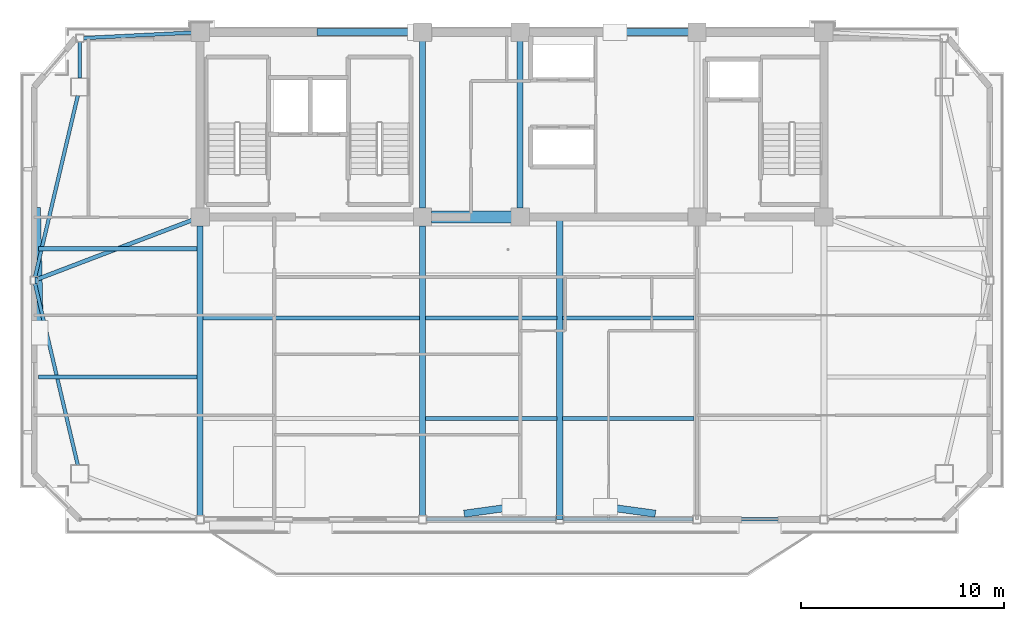
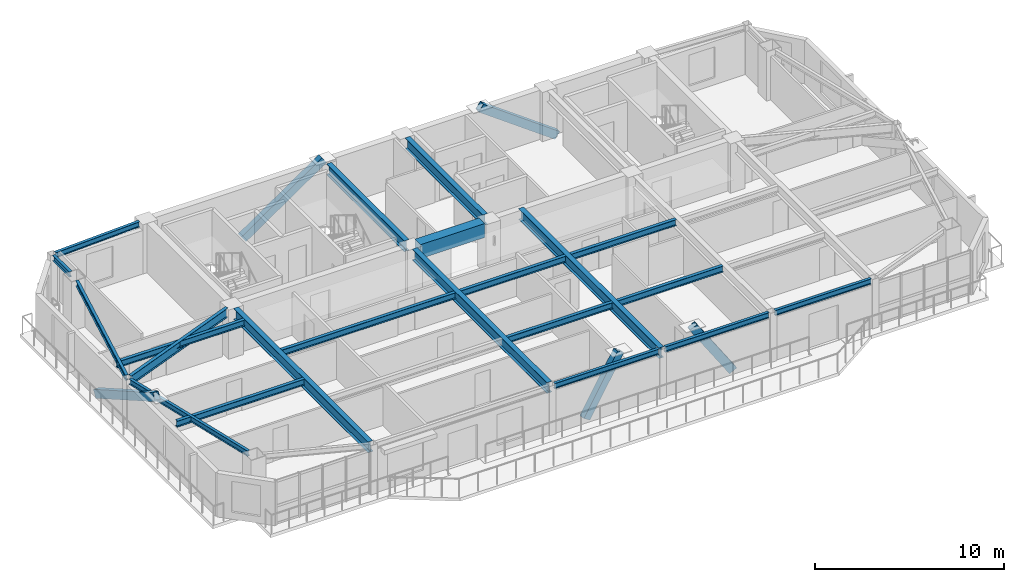
# One storey, part 3 of 12: 21 beams, 5 members.
"""IFC4 building model written with IfcOpenShell, lengths in metres."""

from ifc_helpers import new_model, si_unit, direction, frame, origin, origin_2d, place, context, subcontext, project, spatial, rectangle, hollow_rectangle, i_section, extrude, source, transform, mapped, material, material_profile, profile_set, type_object, element, save


model = new_model("IFC4")

# Units and contexts
model_context = context("Model", 3, precision=1e-05, world=origin(), true_north=direction((0.0, 1.0)))
body_context = subcontext(model_context, "Body", "Model", "MODEL_VIEW")
ifc_project = project(units=[si_unit("LENGTHUNIT", "METRE"), si_unit("AREAUNIT", "SQUARE_METRE"), si_unit("VOLUMEUNIT", "CUBIC_METRE"), si_unit("PLANEANGLEUNIT", "RADIAN"), si_unit("MASSUNIT", "GRAM", prefix="KILO")], contexts=[model_context])

# Site, building, storey
site_placement = place(None, origin())
site = spatial("IfcSite", under=ifc_project, at=site_placement, CompositionType="ELEMENT")
building_placement = place(site_placement, origin())
building = spatial("IfcBuilding", under=site, at=building_placement, Name="Giltprow Tower", CompositionType="ELEMENT")
storey_placement = place(building_placement, frame((0.0, 0.0, 339.10009765625)))
storey = spatial("IfcBuildingStorey", under=building, at=storey_placement, Name="L88", CompositionType="ELEMENT", Elevation=339.10009765625)

# Beams
ifc_material_1 = material(Name="Structural steel Q355B", Category="steel")
ifc_material_profile_1 = material_profile(ifc_material_1, i_section(OverallWidth=0.199951171875, OverallDepth=0.39990234375, WebThickness=0.008056640625, FlangeThickness=0.012939453125, at=origin_2d()), Name="HN 400x200x8x13")
ifc_profile_set_1 = profile_set([ifc_material_profile_1], Name="Structural steel Q355B")
beam_type_1 = type_object("IfcBeamType", Name="BM-JOIST-HN400", PredefinedType="JOIST", material=ifc_profile_set_1)
shared_shape_1 = source(origin(), body_context, "Body", "SweptSolid", [
    extrude(i_section(OverallWidth=0.199951171875, OverallDepth=0.39990234375, WebThickness=0.008056640625, FlangeThickness=0.012939453125, at=origin_2d()), origin(), (0.0, 0.0, 1.0), 10.659912109375),
])
beam_1_placement = place(storey_placement, frame((19.9951171875, 32.489013671875, 2.98486328125), z_axis=(1.0, 0.0, 0.0), x_axis=(0.0, 1.0, 0.0)))
element("IfcBeam", 1, at=beam_1_placement, inside=storey, type_object=beam_type_1, Name="L88 Composite Floor Joist 2-1", PredefinedType="JOIST", context=body_context, shape_type="MappedRepresentation", body=[
    mapped(shared_shape_1, transform((0.0, 0.0, 0.0), x_axis=(1.0, 0.0, 0.0), y_axis=(0.0, 1.0, 0.0), z_axis=(0.0, 0.0, 1.0), scale=1.0)),
])
shared_shape_2 = source(origin(), body_context, "Body", "SweptSolid", [
    extrude(i_section(OverallWidth=0.199951171875, OverallDepth=0.39990234375, WebThickness=0.008056640625, FlangeThickness=0.012939453125, at=origin_2d()), origin(), (0.0, 0.0, 1.0), 6.4599609375),
])
for number, where, z_axis, x_axis, name in (
    (2, (30.945068359375, 27.529052734375, 2.98486328125), (1.0, 0.0, 0.0), (0.0, 1.0, 0.0), "L88 Composite Floor Joist 1-2"),
    (3, (37.695068359375, 27.529052734375, 2.98486328125), (1.0, 0.0, 0.0), (0.0, 1.0, 0.0), "L88 Composite Floor Joist 1-3"),
    (4, (30.945068359375, 32.489013671875, 2.98486328125), (1.0, 0.0, 0.0), (0.0, 1.0, 0.0), "L88 Composite Floor Joist 2-2"),
    (5, (37.695068359375, 32.489013671875, 2.98486328125), (1.0, 0.0, 0.0), (0.0, 1.0, 0.0), "L88 Composite Floor Joist 2-3"),
):
    element("IfcBeam", number, at=place(storey_placement, frame(where, z_axis=z_axis, x_axis=x_axis)), inside=storey, type_object=beam_type_1, Name=name, PredefinedType="JOIST", context=body_context, shape_type="MappedRepresentation", body=[
        mapped(shared_shape_2, transform((0.0, 0.0, 0.0), x_axis=(1.0, 0.0, 0.0), y_axis=(0.0, 1.0, 0.0), z_axis=(0.0, 0.0, 1.0), scale=1.0)),
    ])
ifc_material_2 = material(Name="Concrete C50", Category="concrete")
ifc_material_profile_2 = material_profile(ifc_material_2, rectangle(XDim=0.60009765625, YDim=0.89990234375, at=origin_2d()), Name="RC 900x600")
ifc_profile_set_2 = profile_set([ifc_material_profile_2], Name="Concrete C50")
beam_type_2 = type_object("IfcBeamType", Name="BM-CPL-RC900", PredefinedType="LINTEL", material=ifc_profile_set_2)
shared_shape_3 = source(origin(), body_context, "Body", "SweptSolid", [
    extrude(rectangle(XDim=0.60009765625, YDim=0.89990234375, at=origin_2d()), origin(), (0.0, 0.0, 1.0), 3.929931640625),
])
beam_2_placement = place(storey_placement, frame((31.235107421875, 37.449951171875, 2.73486328125), z_axis=(1.0, 0.0, 0.0), x_axis=(0.0, 1.0, 0.0)))
element("IfcBeam", 6, at=beam_2_placement, inside=storey, type_object=beam_type_2, Name="L88 Core Coupling Beam CB-1", PredefinedType="LINTEL", context=body_context, shape_type="MappedRepresentation", body=[
    mapped(shared_shape_3, transform((0.0, 0.0, 0.0), x_axis=(1.0, 0.0, 0.0), y_axis=(0.0, 1.0, 0.0), z_axis=(0.0, 0.0, 1.0), scale=1.0)),
])
ifc_material_profile_3 = material_profile(ifc_material_1, i_section(OverallWidth=0.300048828125, OverallDepth=0.699951171875, WebThickness=0.012939453125, FlangeThickness=0.02392578125, at=origin_2d()), Name="HN 700x300x13x24")
ifc_profile_set_3 = profile_set([ifc_material_profile_3], Name="Structural steel Q355B")
beam_type_3 = type_object("IfcBeamType", Name="BM-GIRD-HN700", PredefinedType="BEAM", material=ifc_profile_set_3)
shared_shape_4 = source(origin(), body_context, "Body", "SweptSolid", [
    extrude(i_section(OverallWidth=0.300048828125, OverallDepth=0.699951171875, WebThickness=0.012939453125, FlangeThickness=0.02392578125, at=origin_2d()), origin(), (0.0, 0.0, 1.0), 8.22998046875),
])
for number, where, z_axis, x_axis, name in (
    (7, (30.800048828125, 37.885009765625, 2.8349609375), (0.0, 1.0, 0.0), (-1.0, 0.0, 0.0), "L88 Core Tie Girder M1"),
    (8, (35.60009765625, 37.885009765625, 2.8349609375), (0.0, 1.0, 0.0), (-1.0, 0.0, 0.0), "L88 Core Tie Girder M2"),
):
    element("IfcBeam", number, at=place(storey_placement, frame(where, z_axis=z_axis, x_axis=x_axis)), inside=storey, type_object=beam_type_3, Name=name, PredefinedType="BEAM", context=body_context, shape_type="MappedRepresentation", body=[
        mapped(shared_shape_4, transform((0.0, 0.0, 0.0), x_axis=(1.0, 0.0, 0.0), y_axis=(0.0, 1.0, 0.0), z_axis=(0.0, 0.0, 1.0), scale=1.0)),
    ])
ifc_material_profile_4 = material_profile(ifc_material_1, i_section(OverallWidth=0.175048828125, OverallDepth=0.35009765625, WebThickness=0.007080078125, FlangeThickness=0.010986328125, at=origin_2d()), Name="HN 350x175x7x11")
ifc_profile_set_4 = profile_set([ifc_material_profile_4], Name="Structural steel Q355B")
beam_type_4 = type_object("IfcBeamType", Name="BM-SPAN-HN350", PredefinedType="SPANDREL", material=ifc_profile_set_4)
shared_shape_5 = source(origin(), body_context, "Body", "SweptSolid", [
    extrude(i_section(OverallWidth=0.175048828125, OverallDepth=0.35009765625, WebThickness=0.007080078125, FlangeThickness=0.010986328125, at=origin_2d()), origin(), (0.0, 0.0, 1.0), 6.3798828125),
])
for number, where, z_axis, x_axis, name in (
    (9, (30.985107421875, 22.568115234375, 3.010009765625), (1.0, 0.0, 0.0), (0.0, 1.0, 0.0), "L88 Perimeter Spandrel Beam S2-S_MID"),
    (10, (37.735107421875, 22.568115234375, 3.010009765625), (1.0, 0.0, 0.0), (0.0, 1.0, 0.0), "L88 Perimeter Spandrel Beam S_MID-S3"),
):
    element("IfcBeam", number, at=place(storey_placement, frame(where, z_axis=z_axis, x_axis=x_axis)), inside=storey, type_object=beam_type_4, Name=name, PredefinedType="SPANDREL", context=body_context, shape_type="MappedRepresentation", body=[
        mapped(shared_shape_5, transform((0.0, 0.0, 0.0), x_axis=(1.0, 0.0, 0.0), y_axis=(0.0, 1.0, 0.0), z_axis=(0.0, 0.0, 1.0), scale=1.0)),
    ])
shared_shape_6 = source(origin(), body_context, "Body", "SweptSolid", [
    extrude(i_section(OverallWidth=0.175048828125, OverallDepth=0.35009765625, WebThickness=0.007080078125, FlangeThickness=0.010986328125, at=origin_2d()), origin(), (0.0, 0.0, 1.0), 5.8798828125),
])
beam_3_placement = place(storey_placement, frame((44.485107421875, 22.568115234375, 3.010009765625), z_axis=(1.0, 0.0, 0.0), x_axis=(0.0, 1.0, 0.0)))
element("IfcBeam", 11, at=beam_3_placement, inside=storey, type_object=beam_type_4, Name="L88 Perimeter Spandrel Beam S3-S4", PredefinedType="SPANDREL", context=body_context, shape_type="MappedRepresentation", body=[
    mapped(shared_shape_6, transform((0.0, 0.0, 0.0), x_axis=(1.0, 0.0, 0.0), y_axis=(0.0, 1.0, 0.0), z_axis=(0.0, 0.0, 1.0), scale=1.0)),
])
shared_shape_7 = source(origin(), body_context, "Body", "SweptSolid", [
    extrude(i_section(OverallWidth=0.175048828125, OverallDepth=0.35009765625, WebThickness=0.007080078125, FlangeThickness=0.010986328125, at=origin_2d()), origin(), (0.0, 0.0, 1.0), 9.161865234375),
])
for number, where, z_axis, x_axis, name in (
    (12, (13.8310546875, 43.430908203125, 3.010009765625), (-0.22964825006, -0.973273692876, 0.0), (0.973273692876, -0.22964825006, 0.0), "L88 Perimeter Spandrel Beam MC_NW-W_MID"),
    (13, (11.72705078125, 34.154052734375, 3.010009765625), (0.22964825006, -0.973273692876, 0.0), (0.973273692876, 0.22964825006, 0.0), "L88 Perimeter Spandrel Beam W_MID-MC_SW"),
):
    element("IfcBeam", number, at=place(storey_placement, frame(where, z_axis=z_axis, x_axis=x_axis)), inside=storey, type_object=beam_type_4, Name=name, PredefinedType="SPANDREL", context=body_context, shape_type="MappedRepresentation", body=[
        mapped(shared_shape_7, transform((0.0, 0.0, 0.0), x_axis=(1.0, 0.0, 0.0), y_axis=(0.0, 1.0, 0.0), z_axis=(0.0, 0.0, 1.0), scale=1.0)),
    ])
shared_shape_8 = source(origin(), body_context, "Body", "SweptSolid", [
    extrude(i_section(OverallWidth=0.175048828125, OverallDepth=0.35009765625, WebThickness=0.007080078125, FlangeThickness=0.010986328125, at=origin_2d()), origin(), (0.0, 0.0, 1.0), 1.77587890625),
])
beam_4_placement = place(storey_placement, frame((13.930908203125, 46.06494140625, 3.010009765625), z_axis=(0.0, -1.0, 0.0), x_axis=(1.0, 0.0, 0.0)))
element("IfcBeam", 14, at=beam_4_placement, inside=storey, type_object=beam_type_4, Name="L88 Perimeter Spandrel Beam N_W-MC_NW", PredefinedType="SPANDREL", context=body_context, shape_type="MappedRepresentation", body=[
    mapped(shared_shape_8, transform((0.0, 0.0, 0.0), x_axis=(1.0, 0.0, 0.0), y_axis=(0.0, 1.0, 0.0), z_axis=(0.0, 0.0, 1.0), scale=1.0)),
])
shared_shape_9 = source(origin(), body_context, "Body", "SweptSolid", [
    extrude(i_section(OverallWidth=0.175048828125, OverallDepth=0.35009765625, WebThickness=0.007080078125, FlangeThickness=0.010986328125, at=origin_2d()), origin(), (0.0, 0.0, 1.0), 5.306884765625),
])
beam_5_placement = place(storey_placement, frame((14.115966796875, 46.259033203125, 3.010009765625), z_axis=(0.998714076234, 0.050697080106, 0.0), x_axis=(-0.050697080106, 0.998714076234, 0.0)))
element("IfcBeam", 15, at=beam_5_placement, inside=storey, type_object=beam_type_4, Name="L88 North Wing Spandrel W", PredefinedType="SPANDREL", context=body_context, shape_type="MappedRepresentation", body=[
    mapped(shared_shape_9, transform((0.0, 0.0, 0.0), x_axis=(1.0, 0.0, 0.0), y_axis=(0.0, 1.0, 0.0), z_axis=(0.0, 0.0, 1.0), scale=1.0)),
])
shared_shape_10 = source(origin(), body_context, "Body", "SweptSolid", [
    extrude(i_section(OverallWidth=0.300048828125, OverallDepth=0.699951171875, WebThickness=0.012939453125, FlangeThickness=0.02392578125, at=origin_2d()), origin(), (0.0, 0.0, 1.0), 14.261962890625),
])
for number, where, z_axis, x_axis, name in (
    (16, (19.85009765625, 22.7529296875, 2.8349609375), (0.0, 1.0, 0.0), (-1.0, 0.0, 0.0), "L88 Primary Lease Girder S1"),
    (17, (30.800048828125, 22.7529296875, 2.8349609375), (0.0, 1.0, 0.0), (-1.0, 0.0, 0.0), "L88 Primary Lease Girder S2"),
):
    element("IfcBeam", number, at=place(storey_placement, frame(where, z_axis=z_axis, x_axis=x_axis)), inside=storey, type_object=beam_type_3, Name=name, PredefinedType="BEAM", context=body_context, shape_type="MappedRepresentation", body=[
        mapped(shared_shape_10, transform((0.0, 0.0, 0.0), x_axis=(1.0, 0.0, 0.0), y_axis=(0.0, 1.0, 0.0), z_axis=(0.0, 0.0, 1.0), scale=1.0)),
    ])
shared_shape_11 = source(origin(), body_context, "Body", "SweptSolid", [
    extrude(i_section(OverallWidth=0.300048828125, OverallDepth=0.699951171875, WebThickness=0.012939453125, FlangeThickness=0.02392578125, at=origin_2d()), origin(), (0.0, 0.0, 1.0), 14.8818359375),
])
beam_6_placement = place(storey_placement, frame((37.550048828125, 22.568115234375, 2.8349609375), z_axis=(0.0, 1.0, 0.0), x_axis=(-1.0, 0.0, 0.0)))
element("IfcBeam", 18, at=beam_6_placement, inside=storey, type_object=beam_type_3, Name="L88 Central Lease Girder SMID", PredefinedType="BEAM", context=body_context, shape_type="MappedRepresentation", body=[
    mapped(shared_shape_11, transform((0.0, 0.0, 0.0), x_axis=(1.0, 0.0, 0.0), y_axis=(0.0, 1.0, 0.0), z_axis=(0.0, 0.0, 1.0), scale=1.0)),
])
ifc_material_profile_5 = material_profile(ifc_material_1, i_section(OverallWidth=0.199951171875, OverallDepth=0.60009765625, WebThickness=0.010986328125, FlangeThickness=0.01708984375, at=origin_2d()), Name="HN 600x200x11x17")
ifc_profile_set_5 = profile_set([ifc_material_profile_5], Name="Structural steel Q355B")
beam_type_5 = type_object("IfcBeamType", Name="BM-GIRD-HN600", PredefinedType="BEAM", material=ifc_profile_set_5)
shared_shape_12 = source(origin(), body_context, "Body", "SweptSolid", [
    extrude(i_section(OverallWidth=0.199951171875, OverallDepth=0.60009765625, WebThickness=0.010986328125, FlangeThickness=0.01708984375, at=origin_2d()), origin(), (0.0, 0.0, 1.0), 8.119873046875),
])
beam_7_placement = place(storey_placement, frame((11.85791015625, 34.39990234375, 2.885009765625), z_axis=(0.934280857327, 0.356537907707, 0.0), x_axis=(-0.356537907707, 0.934280857327, 0.0)))
element("IfcBeam", 19, at=beam_7_placement, inside=storey, type_object=beam_type_5, Name="L88 West Wing Primary Girder", PredefinedType="BEAM", context=body_context, shape_type="MappedRepresentation", body=[
    mapped(shared_shape_12, transform((0.0, 0.0, 0.0), x_axis=(1.0, 0.0, 0.0), y_axis=(0.0, 1.0, 0.0), z_axis=(0.0, 0.0, 1.0), scale=1.0)),
])
shared_shape_13 = source(origin(), body_context, "Body", "SweptSolid", [
    extrude(i_section(OverallWidth=0.199951171875, OverallDepth=0.39990234375, WebThickness=0.008056640625, FlangeThickness=0.012939453125, at=origin_2d()), origin(), (0.0, 0.0, 1.0), 7.800048828125),
])
for number, where, z_axis, x_axis, name in (
    (20, (11.905029296875, 29.573974609375, 2.98486328125), (1.0, 0.0, 0.0), (0.0, 1.0, 0.0), "L88 West Wing Floor Joist 1"),
    (21, (11.905029296875, 35.89208984375, 2.98486328125), (1.0, 0.0, 0.0), (0.0, 1.0, 0.0), "L88 West Wing Floor Joist 2"),
):
    element("IfcBeam", number, at=place(storey_placement, frame(where, z_axis=z_axis, x_axis=x_axis)), inside=storey, type_object=beam_type_1, Name=name, PredefinedType="JOIST", context=body_context, shape_type="MappedRepresentation", body=[
        mapped(shared_shape_13, transform((0.0, 0.0, 0.0), x_axis=(1.0, 0.0, 0.0), y_axis=(0.0, 1.0, 0.0), z_axis=(0.0, 0.0, 1.0), scale=1.0)),
    ])

# Members
ifc_material_3 = material(Name="Structural steel Q420GJC", Category="steel")
ifc_material_profile_6 = material_profile(ifc_material_3, hollow_rectangle(XDim=0.35009765625, YDim=0.5, WallThickness=0.02392578125, at=origin_2d()), Name="RHS 500x350x24")
ifc_profile_set_6 = profile_set([ifc_material_profile_6], Name="Structural steel Q420GJC")
member_type = type_object("IfcMemberType", Name="MBR-MEGA-RHS500", PredefinedType="BRACE", material=ifc_profile_set_6)
shared_shape_14 = source(origin(), body_context, "Body", "SweptSolid", [
    extrude(hollow_rectangle(XDim=0.35009765625, YDim=0.5, WallThickness=0.02392578125, at=origin_2d()), origin(), (0.0, 0.0, 1.0), 4.0888671875),
])
for number, where, z_axis, x_axis, name in (
    (22, (33.050048828125, 22.87890625, 0.0), (0.550288855758, 0.075831906121, 0.831523720192), (-0.13651372484, 0.990638179625, 0.0), "L88 Chevron Mega-Brace S-L"),
    (23, (42.050048828125, 22.87890625, 0.0), (-0.550288855758, 0.075831906121, 0.831523720192), (-0.13651372484, -0.990638179625, 0.0), "L88 Chevron Mega-Brace S-R"),
):
    element("IfcMember", number, at=place(storey_placement, frame(where, z_axis=z_axis, x_axis=x_axis)), inside=storey, type_object=member_type, Name=name, PredefinedType="BRACE", context=body_context, shape_type="MappedRepresentation", body=[
        mapped(shared_shape_14, transform((0.0, 0.0, 0.0), x_axis=(1.0, 0.0, 0.0), y_axis=(0.0, 1.0, 0.0), z_axis=(0.0, 0.0, 1.0), scale=1.0)),
    ])
shared_shape_15 = source(origin(), body_context, "Body", "SweptSolid", [
    extrude(hollow_rectangle(XDim=0.35009765625, YDim=0.5, WallThickness=0.02392578125, at=origin_2d()), origin(), (0.0, 0.0, 1.0), 5.9921875),
])
member_1_placement = place(storey_placement, frame((25.73291015625, 46.550048828125, -0.14013671875), z_axis=(0.823420878969, 0.0, 0.567431102494), x_axis=(0.0, 1.0, 0.0)))
element("IfcMember", 24, at=member_1_placement, inside=storey, type_object=member_type, Name="L88 Chevron Mega-Brace N-L", PredefinedType="BRACE", context=body_context, shape_type="MappedRepresentation", body=[
    mapped(shared_shape_15, transform((0.0, 0.0, 0.0), x_axis=(1.0, 0.0, 0.0), y_axis=(0.0, 1.0, 0.0), z_axis=(0.0, 0.0, 1.0), scale=1.0)),
])
shared_shape_16 = source(origin(), body_context, "Body", "SweptSolid", [
    extrude(hollow_rectangle(XDim=0.35009765625, YDim=0.5, WallThickness=0.02392578125, at=origin_2d()), origin(), (0.0, 0.0, 1.0), 5.7734375),
])
member_2_placement = place(storey_placement, frame((44.93310546875, 46.550048828125, -0.14013671875), z_axis=(-0.808185316057, 0.0, 0.588928259561), x_axis=(0.0, -1.0, 0.0)))
element("IfcMember", 25, at=member_2_placement, inside=storey, type_object=member_type, Name="L88 Chevron Mega-Brace N-R", PredefinedType="BRACE", context=body_context, shape_type="MappedRepresentation", body=[
    mapped(shared_shape_16, transform((0.0, 0.0, 0.0), x_axis=(1.0, 0.0, 0.0), y_axis=(0.0, 1.0, 0.0), z_axis=(0.0, 0.0, 1.0), scale=1.0)),
])
shared_shape_17 = source(origin(), body_context, "Body", "SweptSolid", [
    extrude(hollow_rectangle(XDim=0.35009765625, YDim=0.5, WallThickness=0.02392578125, at=origin_2d()), origin(), (0.0, 0.0, 1.0), 6.943115234375),
])
member_3_placement = place(storey_placement, frame((11.822998046875, 37.802978515625, 0.0), z_axis=(0.020008044634, -0.871668573675, 0.489687222437), x_axis=(0.999736667204, 0.022947685007, 0.0)))
element("IfcMember", 26, at=member_3_placement, inside=storey, type_object=member_type, Name="L88 Chevron Mega-Brace W-D", PredefinedType="BRACE", context=body_context, shape_type="MappedRepresentation", body=[
    mapped(shared_shape_17, transform((0.0, 0.0, 0.0), x_axis=(1.0, 0.0, 0.0), y_axis=(0.0, 1.0, 0.0), z_axis=(0.0, 0.0, 1.0), scale=1.0)),
])

save(model, "model.ifc")
